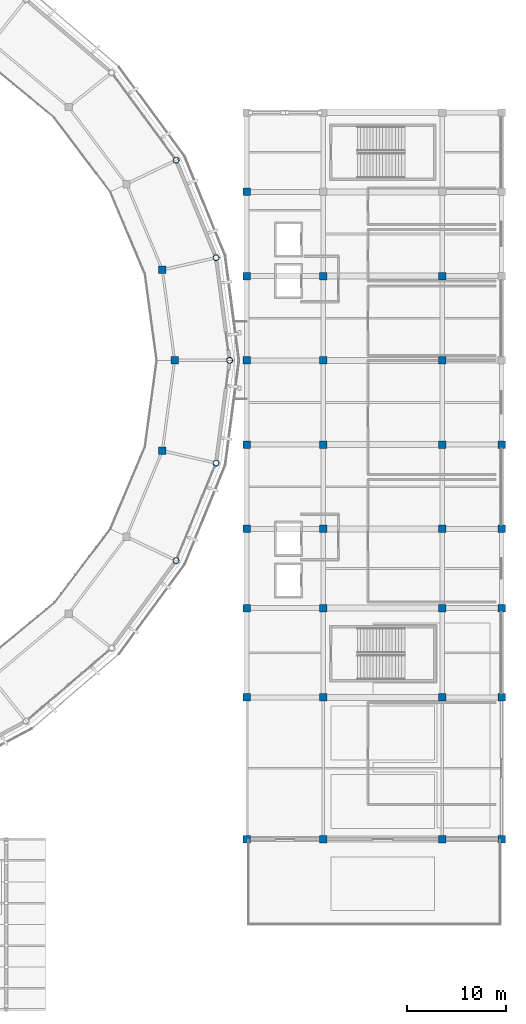
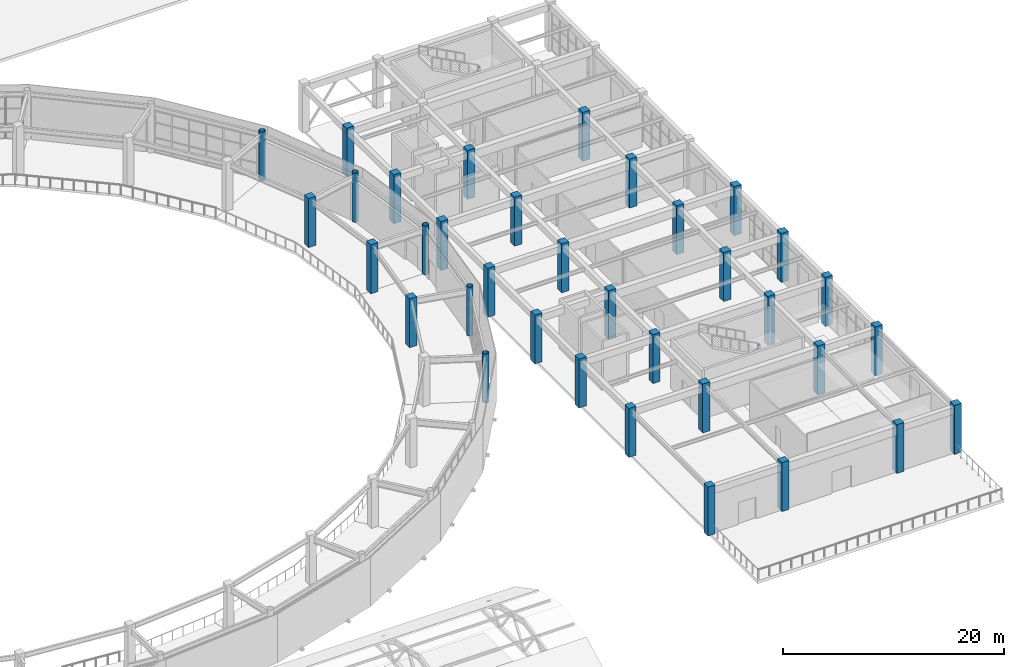
# One storey, part 9 of 70: 35 columns.
"""IFC4 building model written with IfcOpenShell, lengths in metres."""

import ifcopenshell
import ifcopenshell.guid

model = None  # the IFC model being written
_history = None  # IfcOwnerHistory: only IFC2X3 demands one
_inside = {}  # id of a spatial element -> (the spatial element, [elements in it])
_under = {}  # id of a project, library or spatial element -> (it, [spatial elements below it])
_declared = {}  # id of a project -> (the project, [libraries it declares])
_typed = {}  # id of a type object -> (the type object, [elements of that type])
_made_of = {}  # id of a material, layer set ... -> (it, [elements and type objects made of it])


def new_model(schema):
    """Start an empty IFC model of exactly this schema.

    Asked for "IFC4X3", IfcOpenShell would pick the latest addendum, in which some entities
    have other attributes; the version numbers below select the first issue.
    IFC2X3 requires an IfcOwnerHistory on every rooted entity: one is made here for all.
    """
    global model, _history
    if schema == "IFC4X3":
        model = ifcopenshell.file(schema_version=(4, 3, 0, 0))
    else:
        model = ifcopenshell.file(schema=schema)
    _inside.clear()
    _under.clear()
    _declared.clear()
    _typed.clear()
    _made_of.clear()
    _history = None
    if model.schema == "IFC2X3":
        org = make("IfcOrganization", Name="unknown")
        user = make(
            "IfcPersonAndOrganization",
            ThePerson=make("IfcPerson", FamilyName="unknown"),
            TheOrganization=org,
        )
        app = make(
            "IfcApplication",
            ApplicationDeveloper=org,
            Version="unknown",
            ApplicationFullName="unknown",
            ApplicationIdentifier="unknown",
        )
        _history = make(
            "IfcOwnerHistory",
            OwningUser=user,
            OwningApplication=app,
            ChangeAction="ADDED",
            CreationDate=0,
        )
    return model


def make(cls, **values):
    """One entity of the class cls with the attributes given. An attribute that is None is left unset."""
    return model.create_entity(
        cls, **{name: value for name, value in values.items() if value is not None}
    )


def rooted(cls, **values):
    """An entity with a GlobalId (a new one), such as an element, a storey or a relation."""
    return make(cls, GlobalId=ifcopenshell.guid.new(), OwnerHistory=_history, **values)


def si_unit(unit_type, name, prefix=None):
    """IfcSIUnit, for example si_unit("LENGTHUNIT", "METRE", prefix="MILLI")."""
    return make("IfcSIUnit", UnitType=unit_type, Prefix=prefix, Name=name)


def assignment(units):
    """IfcUnitAssignment: the units of a project."""
    return None if units is None else make("IfcUnitAssignment", Units=units)


def point(xyz):
    """IfcCartesianPoint."""
    return None if xyz is None else make("IfcCartesianPoint", Coordinates=xyz)


def direction(xyz):
    """IfcDirection."""
    return None if xyz is None else make("IfcDirection", DirectionRatios=xyz)


def frame(location, z_axis=None, x_axis=None):
    """IfcAxis2Placement3D, a coordinate frame: its origin and axes. An axis left out is left unset."""
    return make(
        "IfcAxis2Placement3D",
        Location=point(location),
        Axis=direction(z_axis),
        RefDirection=direction(x_axis),
    )


def frame_2d(location, x_axis=None):
    """IfcAxis2Placement2D, a coordinate frame in the plane: its origin and x axis."""
    return make(
        "IfcAxis2Placement2D", Location=point(location), RefDirection=direction(x_axis)
    )


def origin():
    """The frame at (0, 0, 0) with its axes left unset."""
    return frame((0.0, 0.0, 0.0))


def origin_2d():
    """The frame at (0, 0) in the plane with its x axis left unset."""
    return frame_2d((0.0, 0.0))


def place(relative_to, where):
    """IfcLocalPlacement: puts the frame where relative to a parent placement (None: the world)."""
    return make(
        "IfcLocalPlacement", PlacementRelTo=relative_to, RelativePlacement=where
    )


def context(
    kind, dimensions, precision=None, world=None, true_north=None, identifier=None
):
    """IfcGeometricRepresentationContext, for example the 3D "Model" context."""
    return make(
        "IfcGeometricRepresentationContext",
        ContextIdentifier=identifier,
        ContextType=kind,
        CoordinateSpaceDimension=dimensions,
        Precision=precision,
        WorldCoordinateSystem=world,
        TrueNorth=true_north,
    )


def subcontext(parent, identifier, kind, view, scale=None):
    """IfcGeometricRepresentationSubContext, for example "Body" below "Model"."""
    return make(
        "IfcGeometricRepresentationSubContext",
        ContextIdentifier=identifier,
        ContextType=kind,
        ParentContext=parent,
        TargetScale=scale,
        TargetView=view,
    )


def project(units=None, contexts=None):
    """IfcProject with its units and contexts."""
    return rooted(
        "IfcProject",
        Name="project",
        RepresentationContexts=contexts,
        UnitsInContext=assignment(units),
    )


def spatial(cls, under=None, at=None, **own):
    """A site, building, storey or space (cls), placed at a placement, below another one or the project."""
    s = rooted(cls, ObjectPlacement=at, **own)
    if under is not None:
        _under.setdefault(under.id(), (under, []))[1].append(s)
    return s


def profile(cls, at=None, kind="AREA", **sizes):
    """A parametric profile (cls). Its sizes go by their IFC names, for example OverallWidth=200.0."""
    return make(cls, ProfileType=kind, Position=at, **sizes)


def rectangle(**sizes):
    """IfcRectangleProfileDef."""
    return profile("IfcRectangleProfileDef", **sizes)


def hollow_circle(**sizes):
    """IfcCircleHollowProfileDef."""
    return profile("IfcCircleHollowProfileDef", **sizes)


def extrude(swept, where, along, depth):
    """IfcExtrudedAreaSolid: the profile swept, set in the frame where, extruded along a direction by depth."""
    return make(
        "IfcExtrudedAreaSolid",
        SweptArea=swept,
        Position=where,
        ExtrudedDirection=direction(along),
        Depth=depth,
    )


def shape(context_of_items, identifier, shape_type, items):
    """IfcShapeRepresentation: the items that make up one representation, for example the "Body"."""
    return make(
        "IfcShapeRepresentation",
        ContextOfItems=context_of_items,
        RepresentationIdentifier=identifier,
        RepresentationType=shape_type,
        Items=items,
    )


def material(Name=None, Category=None):
    """IfcMaterial."""
    return make("IfcMaterial", Name=Name, Category=Category)


def material_profile(
    of_material, cross_section, Name=None, Category=None, Priority=None
):
    """IfcMaterialProfile: a cross section and its material."""
    return make(
        "IfcMaterialProfile",
        Name=Name,
        Material=of_material,
        Profile=cross_section,
        Priority=Priority,
        Category=Category,
    )


def profile_set(profiles, Name=None, composite=None):
    """IfcMaterialProfileSet."""
    return make(
        "IfcMaterialProfileSet",
        Name=Name,
        MaterialProfiles=profiles,
        CompositeProfile=composite,
    )


def made_of(thing, what):
    """Note that an element or type object is made of a material, layer set ...; save() writes the relation."""
    if what is not None:
        _made_of.setdefault(what.id(), (what, []))[1].append(thing)
    return thing


def type_object(cls, material=None, **own):
    """A type object (cls), such as IfcWallType, which elements share."""
    return made_of(rooted(cls, **own), material)


def element(
    cls,
    number,
    at=None,
    inside=None,
    cuts=None,
    type_object=None,
    material=None,
    context=None,
    identifier="Body",
    shape_type=None,
    held_by="IfcProductDefinitionShape",
    body=None,
    shapes=None,
    **own,
):
    """One element of the class cls, such as IfcWall. Its Tag is "e" and its number.

    at: its placement. inside: the storey or other place that contains it. cuts: it is an
    opening in that element (IfcRelVoidsElement). A single representation is given by context,
    identifier, shape_type and body (its items); several are given by shapes. held_by: the class
    of the entity that holds the representations. save() writes the other relations.
    """
    e = rooted(cls, Tag="e%d" % number, ObjectPlacement=at, **own)
    if body is not None:
        shapes = [shape(context, identifier, shape_type, body)]
    if shapes is not None:
        e.Representation = make(held_by, Representations=shapes)
    if inside is not None:
        _inside.setdefault(inside.id(), (inside, []))[1].append(e)
    if cuts is not None:
        rooted(
            "IfcRelVoidsElement", RelatingBuildingElement=cuts, RelatedOpeningElement=e
        )
    if type_object is not None:
        _typed.setdefault(type_object.id(), (type_object, []))[1].append(e)
    return made_of(e, material)


def aggregate(whole, parts):
    """IfcRelAggregates: a whole, such as a stair, and the parts it consists of."""
    return rooted("IfcRelAggregates", RelatingObject=whole, RelatedObjects=parts)


def save(model, path):
    """Write the relations noted so far, then the file.

    IfcRelAggregates (storeys below a building ...), IfcRelContainedInSpatialStructure (elements
    in a storey), IfcRelDefinesByType, IfcRelAssociatesMaterial and IfcRelDeclares: one each for
    every whole, place, type object, material and project.
    """
    for whole, parts in _under.values():
        aggregate(whole, parts)
    for where, things in _inside.values():
        rooted(
            "IfcRelContainedInSpatialStructure",
            RelatedElements=things,
            RelatingStructure=where,
        )
    for kind, things in _typed.values():
        rooted("IfcRelDefinesByType", RelatedObjects=things, RelatingType=kind)
    for what, things in _made_of.values():
        rooted("IfcRelAssociatesMaterial", RelatedObjects=things, RelatingMaterial=what)
    for by, libraries in _declared.values():
        rooted("IfcRelDeclares", RelatingContext=by, RelatedDefinitions=libraries)
    model.write(path)


model = new_model("IFC4")

# Units and contexts
model_context = context("Model", 3, precision=1e-05, world=origin(), true_north=direction((0.0, 1.0)))
body_context = subcontext(model_context, "Body", "Model", "MODEL_VIEW")
ifc_project = project(units=[si_unit("LENGTHUNIT", "METRE"), si_unit("AREAUNIT", "SQUARE_METRE"), si_unit("VOLUMEUNIT", "CUBIC_METRE"), si_unit("PLANEANGLEUNIT", "RADIAN"), si_unit("MASSUNIT", "GRAM", prefix="KILO")], contexts=[model_context])

# Site, building, storey
site_placement = place(None, origin())
site = spatial("IfcSite", under=ifc_project, at=site_placement, CompositionType="ELEMENT")
building_placement = place(site_placement, origin())
building = spatial("IfcBuilding", under=site, at=building_placement, Name="Cuetzalor Civic Arena", CompositionType="ELEMENT")
storey_placement = place(building_placement, frame((0.0, 0.0, 21.0)))
storey = spatial("IfcBuildingStorey", under=building, at=storey_placement, Name="L04", CompositionType="ELEMENT", Elevation=21.0)

# Columns
ifc_material_1 = material(Name="Concrete C40/50", Category="concrete")
ifc_material_profile_1 = material_profile(ifc_material_1, rectangle(XDim=0.75, YDim=0.75, at=origin_2d()), Name="RC 750x750")
ifc_profile_set_1 = profile_set([ifc_material_profile_1], Name="Concrete C40/50")
column_type_1 = type_object("IfcColumnType", Name="ConcreteColumn_750", PredefinedType="COLUMN", material=ifc_profile_set_1)
for number, where, z_axis, x_axis, name in (
    (1, (49.0, 0.0, 0.0), (0.0, 0.0, 1.0), (1.0, 0.0, 0.0), "Column V1-REC-01 L04"),
    (2, (47.771484375, 9.123291015625, 0.0), (0.0, 0.0, 1.0), (1.0, 0.0, 0.0), "Column V1-REC-02 L04"),
    (3, (47.771484375, -9.123291015625, 0.0), (0.0, 0.0, 1.0), (1.0, 0.0, 0.0), "Column V1-REC-28 L04"),
    (4, (56.300048828125, -48.300048828125, 0.0), (0.0, 0.0, 1.0), (1.0, 0.0, 0.0), "Column V4E-C-01-02 L04"),
    (5, (56.300048828125, -34.0, 0.0), (0.0, 0.0, 1.0), (1.0, 0.0, 0.0), "Column V4E-C-01-03 L04"),
    (6, (56.300048828125, -25.0, 0.0), (0.0, 0.0, 1.0), (1.0, 0.0, 0.0), "Column V4E-C-01-04 L04"),
    (7, (56.300048828125, -17.0, 0.0), (0.0, 0.0, 1.0), (1.0, 0.0, 0.0), "Column V4E-C-01-05 L04"),
    (8, (56.300048828125, -8.5, 0.0), (0.0, 0.0, 1.0), (1.0, 0.0, 0.0), "Column V4E-C-01-06 L04"),
    (9, (56.300048828125, 0.0, 0.0), (0.0, 0.0, 1.0), (1.0, 0.0, 0.0), "Column V4E-C-01-07 L04"),
    (10, (56.300048828125, 8.5, 0.0), (0.0, 0.0, 1.0), (1.0, 0.0, 0.0), "Column V4E-C-01-08 L04"),
    (11, (56.300048828125, 17.0, 0.0), (0.0, 0.0, 1.0), (1.0, 0.0, 0.0), "Column V4E-C-01-09 L04"),
    (12, (64.0, -48.300048828125, 0.0), (0.0, 0.0, 1.0), (1.0, 0.0, 0.0), "Column V4E-C-02-02 L04"),
    (13, (64.0, -34.0, 0.0), (0.0, 0.0, 1.0), (1.0, 0.0, 0.0), "Column V4E-C-02-03 L04"),
    (14, (64.0, -25.0, 0.0), (0.0, 0.0, 1.0), (1.0, 0.0, 0.0), "Column V4E-C-02-04 L04"),
    (15, (64.0, -17.0, 0.0), (0.0, 0.0, 1.0), (1.0, 0.0, 0.0), "Column V4E-C-02-05 L04"),
    (16, (64.0, -8.5, 0.0), (0.0, 0.0, 1.0), (1.0, 0.0, 0.0), "Column V4E-C-02-06 L04"),
    (17, (64.0, 0.0, 0.0), (0.0, 0.0, 1.0), (1.0, 0.0, 0.0), "Column V4E-C-02-07 L04"),
    (18, (64.0, 8.5, 0.0), (0.0, 0.0, 1.0), (1.0, 0.0, 0.0), "Column V4E-C-02-08 L04"),
    (19, (76.0, -48.300048828125, 0.0), (0.0, 0.0, 1.0), (1.0, 0.0, 0.0), "Column V4E-C-03-02 L04"),
    (20, (76.0, -34.0, 0.0), (0.0, 0.0, 1.0), (1.0, 0.0, 0.0), "Column V4E-C-03-03 L04"),
    (21, (76.0, -25.0, 0.0), (0.0, 0.0, 1.0), (1.0, 0.0, 0.0), "Column V4E-C-03-04 L04"),
    (22, (76.0, -17.0, 0.0), (0.0, 0.0, 1.0), (1.0, 0.0, 0.0), "Column V4E-C-03-05 L04"),
    (23, (76.0, -8.5, 0.0), (0.0, 0.0, 1.0), (1.0, 0.0, 0.0), "Column V4E-C-03-06 L04"),
    (24, (76.0, 0.0, 0.0), (0.0, 0.0, 1.0), (1.0, 0.0, 0.0), "Column V4E-C-03-07 L04"),
    (25, (76.0, 8.5, 0.0), (0.0, 0.0, 1.0), (1.0, 0.0, 0.0), "Column V4E-C-03-08 L04"),
    (26, (82.0, -48.300048828125, 0.0), (0.0, 0.0, 1.0), (1.0, 0.0, 0.0), "Column V4E-C-04-02 L04"),
    (27, (82.0, -34.0, 0.0), (0.0, 0.0, 1.0), (1.0, 0.0, 0.0), "Column V4E-C-04-03 L04"),
    (28, (82.0, -25.0, 0.0), (0.0, 0.0, 1.0), (1.0, 0.0, 0.0), "Column V4E-C-04-04 L04"),
    (29, (82.0, -17.0, 0.0), (0.0, 0.0, 1.0), (1.0, 0.0, 0.0), "Column V4E-C-04-05 L04"),
    (30, (82.0, -8.5, 0.0), (0.0, 0.0, 1.0), (1.0, 0.0, 0.0), "Column V4E-C-04-06 L04"),
):
    element("IfcColumn", number, at=place(storey_placement, frame(where, z_axis=z_axis, x_axis=x_axis)), inside=storey, type_object=column_type_1, Name=name, PredefinedType="COLUMN", context=body_context, shape_type="SweptSolid", body=[
        extrude(rectangle(XDim=0.75, YDim=0.75, at=origin_2d()), origin(), (0.0, 0.0, 1.0), 5.39990234375),
    ])
ifc_material_2 = material(Name="Steel S355", Category="steel")
ifc_material_profile_2 = material_profile(ifc_material_2, hollow_circle(Radius=0.304931640625, WallThickness=0.02490234375, at=origin_2d()), Name="CHS 610x25")
ifc_profile_set_2 = profile_set([ifc_material_profile_2], Name="Steel S355")
column_type_2 = type_object("IfcColumnType", Name="SteelDomePylon_CHS610", PredefinedType="COLUMN", material=ifc_profile_set_2)
for number, where, z_axis, x_axis, name in (
    (31, (54.550048828125, 0.0, 0.0), (0.0, 0.0, 1.0), (1.0, 0.0, 0.0), "Column V1-PYL-01 L04"),
    (32, (53.182373046875, 10.3583984375, 0.0), (0.0, 0.0, 1.0), (1.0, 0.0, 0.0), "Column V1-PYL-02 L04"),
    (33, (49.14794921875, 20.197265625, 0.0), (0.0, 0.0, 1.0), (1.0, 0.0, 0.0), "Column V1-PYL-03 L04"),
    (34, (49.14794921875, -20.197265625, 0.0), (0.0, 0.0, 1.0), (1.0, 0.0, 0.0), "Column V1-PYL-27 L04"),
    (35, (53.182373046875, -10.3583984375, 0.0), (0.0, 0.0, 1.0), (1.0, 0.0, 0.0), "Column V1-PYL-28 L04"),
):
    element("IfcColumn", number, at=place(storey_placement, frame(where, z_axis=z_axis, x_axis=x_axis)), inside=storey, type_object=column_type_2, Name=name, PredefinedType="COLUMN", context=body_context, shape_type="SweptSolid", body=[
        extrude(hollow_circle(Radius=0.304931640625, WallThickness=0.02490234375, at=origin_2d()), origin(), (0.0, 0.0, 1.0), 5.39990234375),
    ])

save(model, "model.ifc")
